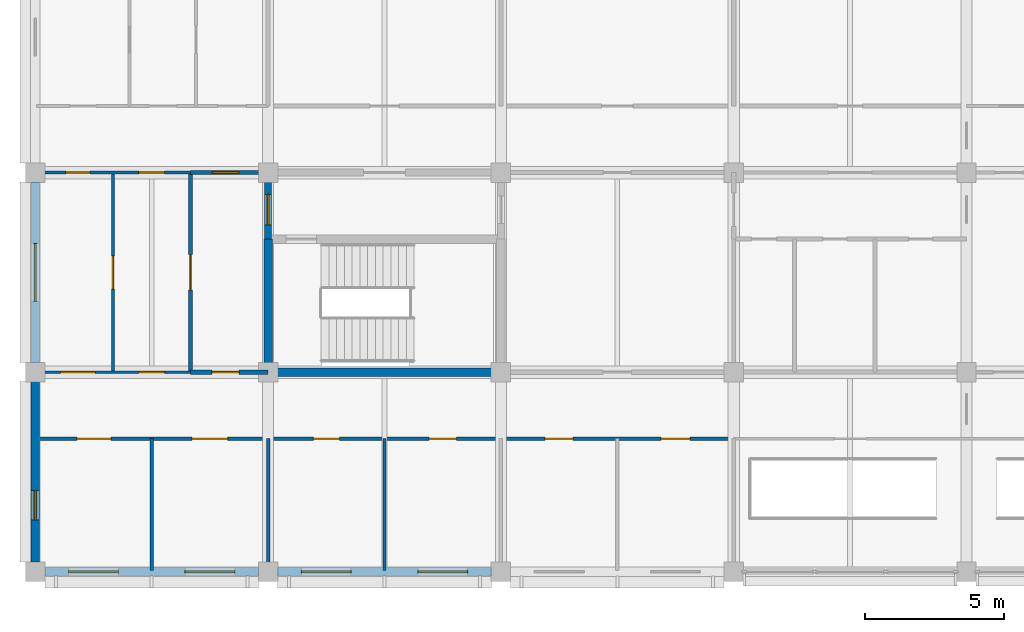
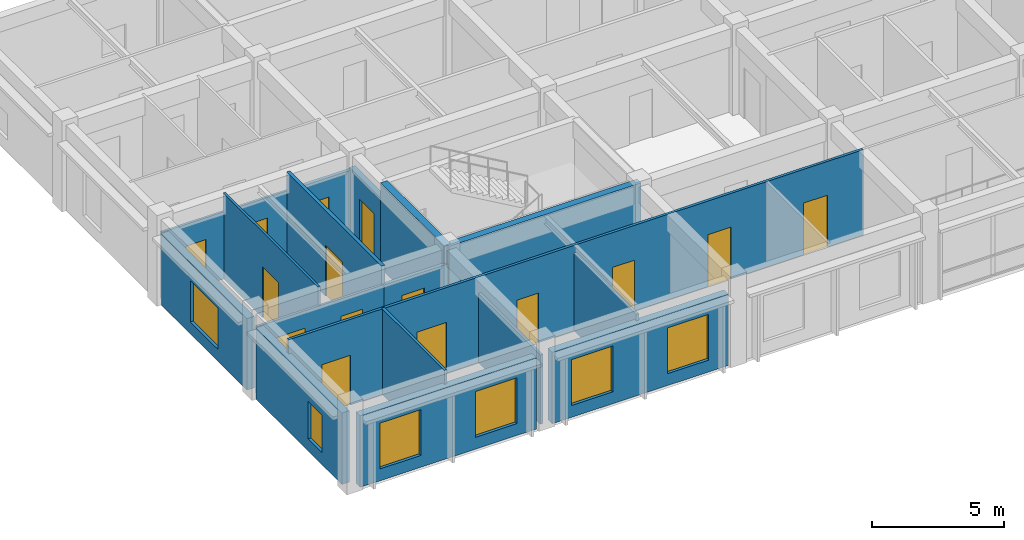
# One storey, part 8 of 17: 17 walls, 15 doors, 6 windows, 21 openings.
"""IFC4 building model written with IfcOpenShell, lengths in metres."""

from ifc_helpers import new_model, si_unit, direction, frame, frame_2d, origin, place, context, subcontext, project, spatial, rectangle, extrude, material, layer, layer_set, type_object, element, fill, save


model = new_model("IFC4")

# Units and contexts
model_context = context("Model", 3, precision=1e-05, world=origin(), true_north=direction((0.0, 1.0)))
body_context = subcontext(model_context, "Body", "Model", "MODEL_VIEW")
ifc_project = project(units=[si_unit("LENGTHUNIT", "METRE"), si_unit("AREAUNIT", "SQUARE_METRE"), si_unit("VOLUMEUNIT", "CUBIC_METRE"), si_unit("PLANEANGLEUNIT", "RADIAN"), si_unit("MASSUNIT", "GRAM", prefix="KILO")], contexts=[model_context])

# Site, building, storey
site_placement = place(None, origin())
site = spatial("IfcSite", under=ifc_project, at=site_placement, CompositionType="ELEMENT")
building_placement = place(site_placement, origin())
building = spatial("IfcBuilding", under=site, at=building_placement, Name="Chengyuan Square Courthouse", CompositionType="ELEMENT")
storey_placement = place(building_placement, frame((0.0, 0.0, 51.89990234375)))
storey = spatial("IfcBuildingStorey", under=building, at=storey_placement, Name="L12", CompositionType="ELEMENT", Elevation=51.89990234375)

# Wall, openings, windows
ifc_material_1 = material(Name="Concrete C40", Category="concrete")
ifc_layer_1 = layer(ifc_material_1, 0.320068359375)
ifc_layer_set_1 = layer_set([ifc_layer_1], Name="Concrete C40")
wall_type_1 = type_object("IfcWallType", Name="WL-EW3", PredefinedType="STANDARD", material=ifc_layer_set_1)
wall_1_placement = place(storey_placement, frame((50.7451171875, 79.199951171875, 0.0), z_axis=(0.0, 0.0, 1.0), x_axis=(1.0, 0.0, 0.0)))
wall_1 = element("IfcWall", 1, at=wall_1_placement, inside=storey, type_object=wall_type_1, Name="Exterior Wall WL-L12-E466", PredefinedType="STANDARD", context=body_context, shape_type="SweptSolid", body=[
    extrude(rectangle(XDim=7.7099609375, YDim=0.320068359375, at=frame_2d((3.85498046875, 0.0))), origin(), (0.0, 0.0, 1.0), 3.31005859375),
])
opening_1_placement = place(wall_1_placement, frame((0.85498046875, 0.0, 0.550048828125)))
opening_1 = element("IfcOpeningElement", 2, at=opening_1_placement, cuts=wall_1, Name="Opening WN-198", PredefinedType="OPENING", context=body_context, shape_type="SweptSolid", body=[
    extrude(rectangle(XDim=1.800048828125, YDim=2.1201171875, at=frame_2d((0.89990234375, 1.06005859375))), frame((0.0, 0.172119140625, 0.0), z_axis=(0.0, -1.0, 0.0), x_axis=(1.0, 0.0, 0.0)), (0.0, 0.0, 1.0), 0.343994140625),
])
opening_2_placement = place(wall_1_placement, frame((5.054931640625, 0.0, 0.550048828125)))
opening_2 = element("IfcOpeningElement", 3, at=opening_2_placement, cuts=wall_1, Name="Opening WN-199", PredefinedType="OPENING", context=body_context, shape_type="SweptSolid", body=[
    extrude(rectangle(XDim=1.800048828125, YDim=2.1201171875, at=frame_2d((0.89990234375, 1.06005859375))), frame((0.0, 0.172119140625, 0.0), z_axis=(0.0, -1.0, 0.0), x_axis=(1.0, 0.0, 0.0)), (0.0, 0.0, 1.0), 0.343994140625),
])
ifc_material_2 = material(Name="Thermally Broken Aluminium Triple Low-E Window", Category="aluminium")
window_type_1 = type_object("IfcWindowType", Name="WT-36", PartitioningType="SINGLE_PANEL", PredefinedType="WINDOW", material=ifc_material_2)
window_1_placement = place(opening_1_placement, origin())
window_1 = element("IfcWindow", 4, at=window_1_placement, inside=storey, type_object=window_type_1, Name="Facade Window WN-198", OverallHeight=2.1201171875, OverallWidth=1.800048828125, PartitioningType="SINGLE_PANEL", PredefinedType="WINDOW", context=body_context, shape_type="SweptSolid", body=[
    extrude(rectangle(XDim=1.800048828125, YDim=2.1201171875, at=frame_2d((0.89990234375, 1.06005859375))), frame((0.0, 0.030029296875, 0.0), z_axis=(0.0, -1.0, 0.0), x_axis=(1.0, 0.0, 0.0)), (0.0, 0.0, 1.0), 0.06005859375),
])
fill(opening_1, window_1)
window_2_placement = place(opening_2_placement, origin())
window_2 = element("IfcWindow", 5, at=window_2_placement, inside=storey, type_object=window_type_1, Name="Facade Window WN-199", OverallHeight=2.1201171875, OverallWidth=1.800048828125, PartitioningType="SINGLE_PANEL", PredefinedType="WINDOW", context=body_context, shape_type="SweptSolid", body=[
    extrude(rectangle(XDim=1.800048828125, YDim=2.1201171875, at=frame_2d((0.89990234375, 1.06005859375))), frame((0.0, 0.030029296875, 0.0), z_axis=(0.0, -1.0, 0.0), x_axis=(1.0, 0.0, 0.0)), (0.0, 0.0, 1.0), 0.06005859375),
])
fill(opening_2, window_2)

# Wall, opening, window
wall_2_placement = place(storey_placement, frame((50.39990234375, 79.544921875, 0.0), z_axis=(0.0, 0.0, 1.0), x_axis=(0.0, 1.0, 0.0)))
wall_2 = element("IfcWall", 6, at=wall_2_placement, inside=storey, type_object=wall_type_1, Name="Exterior Wall WL-L12-E467", PredefinedType="STANDARD", context=body_context, shape_type="SweptSolid", body=[
    extrude(rectangle(XDim=6.510009765625, YDim=0.320068359375, at=frame_2d((3.2548828125, 0.0))), origin(), (0.0, 0.0, 1.0), 3.31005859375),
])
opening_3_placement = place(wall_2_placement, frame((1.530029296875, 0.0, 0.550048828125)))
opening_3 = element("IfcOpeningElement", 7, at=opening_3_placement, cuts=wall_2, Name="Opening WN-200", PredefinedType="OPENING", context=body_context, shape_type="SweptSolid", body=[
    extrude(rectangle(XDim=1.050048828125, YDim=1.739990234375, at=frame_2d((0.52490234375, 0.8701171875))), frame((0.0, 0.172119140625, 0.0), z_axis=(0.0, -1.0, 0.0), x_axis=(1.0, 0.0, 0.0)), (0.0, 0.0, 1.0), 0.343994140625),
])
window_type_2 = type_object("IfcWindowType", Name="WT-10", PartitioningType="SINGLE_PANEL", PredefinedType="WINDOW", material=ifc_material_2)
window_3_placement = place(opening_3_placement, origin())
window_3 = element("IfcWindow", 8, at=window_3_placement, inside=storey, type_object=window_type_2, Name="Facade Window WN-200", OverallHeight=1.739990234375, OverallWidth=1.050048828125, PartitioningType="SINGLE_PANEL", PredefinedType="WINDOW", context=body_context, shape_type="SweptSolid", body=[
    extrude(rectangle(XDim=1.050048828125, YDim=1.739990234375, at=frame_2d((0.52490234375, 0.8701171875))), frame((0.0, 0.030029296875, 0.0), z_axis=(0.0, -1.0, 0.0), x_axis=(1.0, 0.0, 0.0)), (0.0, 0.0, 1.0), 0.06005859375),
])
fill(opening_3, window_3)

wall_3_placement = place(storey_placement, frame((50.39990234375, 86.7451171875, 0.0), z_axis=(0.0, 0.0, 1.0), x_axis=(0.0, 1.0, 0.0)))
wall_3 = element("IfcWall", 9, at=wall_3_placement, inside=storey, type_object=wall_type_1, Name="Exterior Wall WL-L12-E468", PredefinedType="STANDARD", context=body_context, shape_type="SweptSolid", body=[
    extrude(rectangle(XDim=6.509765625, YDim=0.320068359375, at=frame_2d((3.2548828125, 0.0))), origin(), (0.0, 0.0, 1.0), 3.31005859375),
])
opening_4_placement = place(wall_3_placement, frame((2.205078125, 0.0, 0.550048828125)))
opening_4 = element("IfcOpeningElement", 10, at=opening_4_placement, cuts=wall_3, Name="Opening WN-201", PredefinedType="OPENING", context=body_context, shape_type="SweptSolid", body=[
    extrude(rectangle(XDim=2.10009765625, YDim=1.919921875, at=frame_2d((1.050048828125, 0.9599609375))), frame((0.0, 0.172119140625, 0.0), z_axis=(0.0, -1.0, 0.0), x_axis=(1.0, 0.0, 0.0)), (0.0, 0.0, 1.0), 0.343994140625),
])
window_type_3 = type_object("IfcWindowType", Name="WT-41", PartitioningType="SINGLE_PANEL", PredefinedType="WINDOW", material=ifc_material_2)
window_4_placement = place(opening_4_placement, origin())
window_4 = element("IfcWindow", 11, at=window_4_placement, inside=storey, type_object=window_type_3, Name="Facade Window WN-201", OverallHeight=1.919921875, OverallWidth=2.10009765625, PartitioningType="SINGLE_PANEL", PredefinedType="WINDOW", context=body_context, shape_type="SweptSolid", body=[
    extrude(rectangle(XDim=2.10009765625, YDim=1.919921875, at=frame_2d((1.050048828125, 0.9599609375))), frame((0.0, 0.030029296875, 0.0), z_axis=(0.0, -1.0, 0.0), x_axis=(1.0, 0.0, 0.0)), (0.0, 0.0, 1.0), 0.06005859375),
])
fill(opening_4, window_4)

# Wall, openings, windows
wall_4_placement = place(storey_placement, frame((59.14501953125, 79.199951171875, 0.0), z_axis=(0.0, 0.0, 1.0), x_axis=(1.0, 0.0, 0.0)))
wall_4 = element("IfcWall", 12, at=wall_4_placement, inside=storey, type_object=wall_type_1, Name="Exterior Wall WL-L12-E472", PredefinedType="STANDARD", context=body_context, shape_type="SweptSolid", body=[
    extrude(rectangle(XDim=7.7099609375, YDim=0.320068359375, at=frame_2d((3.85498046875, 0.0))), origin(), (0.0, 0.0, 1.0), 3.31005859375),
])
opening_5_placement = place(wall_4_placement, frame((0.85498046875, 0.0, 0.550048828125)))
opening_5 = element("IfcOpeningElement", 13, at=opening_5_placement, cuts=wall_4, Name="Opening WN-205", PredefinedType="OPENING", context=body_context, shape_type="SweptSolid", body=[
    extrude(rectangle(XDim=1.800048828125, YDim=2.1201171875, at=frame_2d((0.89990234375, 1.06005859375))), frame((0.0, 0.172119140625, 0.0), z_axis=(0.0, -1.0, 0.0), x_axis=(1.0, 0.0, 0.0)), (0.0, 0.0, 1.0), 0.343994140625),
])
opening_6_placement = place(wall_4_placement, frame((5.054931640625, 0.0, 0.550048828125)))
opening_6 = element("IfcOpeningElement", 14, at=opening_6_placement, cuts=wall_4, Name="Opening WN-206", PredefinedType="OPENING", context=body_context, shape_type="SweptSolid", body=[
    extrude(rectangle(XDim=1.800048828125, YDim=2.1201171875, at=frame_2d((0.89990234375, 1.06005859375))), frame((0.0, 0.172119140625, 0.0), z_axis=(0.0, -1.0, 0.0), x_axis=(1.0, 0.0, 0.0)), (0.0, 0.0, 1.0), 0.343994140625),
])
window_5_placement = place(opening_5_placement, origin())
window_5 = element("IfcWindow", 15, at=window_5_placement, inside=storey, type_object=window_type_1, Name="Facade Window WN-205", OverallHeight=2.1201171875, OverallWidth=1.800048828125, PartitioningType="SINGLE_PANEL", PredefinedType="WINDOW", context=body_context, shape_type="SweptSolid", body=[
    extrude(rectangle(XDim=1.800048828125, YDim=2.1201171875, at=frame_2d((0.89990234375, 1.06005859375))), frame((0.0, 0.030029296875, 0.0), z_axis=(0.0, -1.0, 0.0), x_axis=(1.0, 0.0, 0.0)), (0.0, 0.0, 1.0), 0.06005859375),
])
fill(opening_5, window_5)
window_6_placement = place(opening_6_placement, origin())
window_6 = element("IfcWindow", 16, at=window_6_placement, inside=storey, type_object=window_type_1, Name="Facade Window WN-206", OverallHeight=2.1201171875, OverallWidth=1.800048828125, PartitioningType="SINGLE_PANEL", PredefinedType="WINDOW", context=body_context, shape_type="SweptSolid", body=[
    extrude(rectangle(XDim=1.800048828125, YDim=2.1201171875, at=frame_2d((0.89990234375, 1.06005859375))), frame((0.0, 0.030029296875, 0.0), z_axis=(0.0, -1.0, 0.0), x_axis=(1.0, 0.0, 0.0)), (0.0, 0.0, 1.0), 0.06005859375),
])
fill(opening_6, window_6)

# Wall, opening, door
ifc_layer_2 = layer(ifc_material_1, 0.25)
ifc_layer_set_2 = layer_set([ifc_layer_2], Name="Concrete C40")
wall_type_2 = type_object("IfcWallType", Name="WL-FW1", PredefinedType="STANDARD", material=ifc_layer_set_2)
wall_5_placement = place(storey_placement, frame((58.800048828125, 91.199951171875, 0.0), z_axis=(0.0, 0.0, 1.0), x_axis=(0.0, 1.0, 0.0)))
wall_5 = element("IfcWall", 17, at=wall_5_placement, inside=storey, type_object=wall_type_2, Name="Interior Wall WL-L12-I3701", PredefinedType="STANDARD", context=body_context, shape_type="SweptSolid", body=[
    extrude(rectangle(XDim=2.400146484375, YDim=0.25, at=frame_2d((1.2001953125, 0.0))), origin(), (0.0, 0.0, 1.0), 3.210205078125),
])
opening_7_placement = place(wall_5_placement, frame((0.514892578125, 0.0, 0.0)))
opening_7 = element("IfcOpeningElement", 18, at=opening_7_placement, cuts=wall_5, Name="Opening DR-3027", PredefinedType="OPENING", context=body_context, shape_type="SweptSolid", body=[
    extrude(rectangle(XDim=1.10009765625, YDim=2.199951171875, at=frame_2d((0.550048828125, 1.10009765625))), frame((0.0, 0.136962890625, 0.0), z_axis=(0.0, -1.0, 0.0), x_axis=(1.0, 0.0, 0.0)), (0.0, 0.0, 1.0), 0.27392578125),
])
ifc_material_3 = material(Name="Steel Q235B Fire Door", Category="steel")
door_type_1 = type_object("IfcDoorType", Name="DT-10", OperationType="NOTDEFINED", PredefinedType="DOOR", material=ifc_material_3)
door_1_placement = place(opening_7_placement, origin())
door_1 = element("IfcDoor", 19, at=door_1_placement, inside=storey, type_object=door_type_1, Name="Interior Door DR-3027", OperationType="SINGLE_SWING_LEFT", OverallHeight=2.199951171875, OverallWidth=1.10009765625, PredefinedType="DOOR", context=body_context, shape_type="SweptSolid", body=[
    extrude(rectangle(XDim=1.10009765625, YDim=2.199951171875, at=frame_2d((0.550048828125, 1.10009765625))), frame((0.0, 0.02490234375, 0.0), z_axis=(0.0, -1.0, 0.0), x_axis=(1.0, 0.0, 0.0)), (0.0, 0.0, 1.0), 0.050048828125),
])
fill(opening_7, door_1)

ifc_material_4 = material(Name="Deliberation Room Sound-Insulated Partition")
ifc_layer_3 = layer(ifc_material_4, 0.14990234375)
ifc_layer_set_3 = layer_set([ifc_layer_3], Name="Deliberation Room Sound-Insulated Partition")
wall_type_3 = type_object("IfcWallType", Name="WL-PT3", PredefinedType="STANDARD", material=ifc_layer_set_3)
wall_6_placement = place(storey_placement, frame((56.0, 86.39990234375, 0.0), z_axis=(0.0, 0.0, 1.0), x_axis=(1.0, 0.0, 0.0)))
wall_6 = element("IfcWall", 20, at=wall_6_placement, inside=storey, type_object=wall_type_3, Name="Interior Wall WL-L12-I3641", PredefinedType="STANDARD", context=body_context, shape_type="SweptSolid", body=[
    extrude(rectangle(XDim=2.800048828125, YDim=0.14990234375, at=frame_2d((1.39990234375, 0.0))), origin(), (0.0, 0.0, 1.0), 3.110107421875),
])
opening_8_placement = place(wall_6_placement, frame((0.77490234375, 0.0, 0.0)))
opening_8 = element("IfcOpeningElement", 21, at=opening_8_placement, cuts=wall_6, Name="Opening DR-3095", PredefinedType="OPENING", context=body_context, shape_type="SweptSolid", body=[
    extrude(rectangle(XDim=0.97998046875, YDim=2.35009765625, at=frame_2d((0.489990234375, 1.175048828125))), frame((0.0, 0.0869140625, 0.0), z_axis=(0.0, -1.0, 0.0), x_axis=(1.0, 0.0, 0.0)), (0.0, 0.0, 1.0), 0.173828125),
])
ifc_material_5 = material(Name="Acoustic Solid-Core Timber Door", Category="wood")
door_type_2 = type_object("IfcDoorType", Name="DT-40", OperationType="NOTDEFINED", PredefinedType="DOOR", material=ifc_material_5)
door_2_placement = place(opening_8_placement, origin())
door_2 = element("IfcDoor", 22, at=door_2_placement, inside=storey, type_object=door_type_2, Name="Interior Door DR-3095", OperationType="SINGLE_SWING_RIGHT", OverallHeight=2.35009765625, OverallWidth=0.97998046875, PredefinedType="DOOR", context=body_context, shape_type="SweptSolid", body=[
    extrude(rectangle(XDim=0.97998046875, YDim=2.35009765625, at=frame_2d((0.489990234375, 1.175048828125))), frame((0.0, 0.02490234375, 0.0), z_axis=(0.0, -1.0, 0.0), x_axis=(1.0, 0.0, 0.0)), (0.0, 0.0, 1.0), 0.050048828125),
])
fill(opening_8, door_2)

wall_7_placement = place(storey_placement, frame((56.0, 93.60009765625, 0.0), z_axis=(0.0, 0.0, 1.0), x_axis=(1.0, 0.0, 0.0)))
wall_7 = element("IfcWall", 23, at=wall_7_placement, inside=storey, type_object=wall_type_3, Name="Interior Wall WL-L12-I3654", PredefinedType="STANDARD", context=body_context, shape_type="SweptSolid", body=[
    extrude(rectangle(XDim=2.800048828125, YDim=0.14990234375, at=frame_2d((1.39990234375, 0.0))), origin(), (0.0, 0.0, 1.0), 3.110107421875),
])
opening_9_placement = place(wall_7_placement, frame((0.784912109375, 0.0, 0.0)))
opening_9 = element("IfcOpeningElement", 24, at=opening_9_placement, cuts=wall_7, Name="Opening DR-3068", PredefinedType="OPENING", context=body_context, shape_type="SweptSolid", body=[
    extrude(rectangle(XDim=0.9599609375, YDim=2.199951171875, at=frame_2d((0.47998046875, 1.10009765625))), frame((0.0, 0.0869140625, 0.0), z_axis=(0.0, -1.0, 0.0), x_axis=(1.0, 0.0, 0.0)), (0.0, 0.0, 1.0), 0.173828125),
])
door_type_3 = type_object("IfcDoorType", Name="DT-30", OperationType="NOTDEFINED", PredefinedType="DOOR", material=ifc_material_5)
door_3_placement = place(opening_9_placement, origin())
door_3 = element("IfcDoor", 25, at=door_3_placement, inside=storey, type_object=door_type_3, Name="Interior Door DR-3068", OperationType="SINGLE_SWING_LEFT", OverallHeight=2.199951171875, OverallWidth=0.9599609375, PredefinedType="DOOR", context=body_context, shape_type="SweptSolid", body=[
    extrude(rectangle(XDim=0.9599609375, YDim=2.199951171875, at=frame_2d((0.47998046875, 1.10009765625))), frame((0.0, 0.02490234375, 0.0), z_axis=(0.0, -1.0, 0.0), x_axis=(1.0, 0.0, 0.0)), (0.0, 0.0, 1.0), 0.050048828125),
])
fill(opening_9, door_3)

wall_8_placement = place(storey_placement, frame((56.0, 86.39990234375, 0.0), z_axis=(0.0, 0.0, 1.0), x_axis=(0.0, 1.0, 0.0)))
wall_8 = element("IfcWall", 26, at=wall_8_placement, inside=storey, type_object=wall_type_3, Name="Interior Wall WL-L12-I3697", PredefinedType="STANDARD", context=body_context, shape_type="SweptSolid", body=[
    extrude(rectangle(XDim=7.2001953125, YDim=0.14990234375, at=frame_2d((3.60009765625, 0.0))), origin(), (0.0, 0.0, 1.0), 3.960205078125),
])
opening_10_placement = place(wall_8_placement, frame((2.9599609375, 0.0, 0.0)))
opening_10 = element("IfcOpeningElement", 27, at=opening_10_placement, cuts=wall_8, Name="Opening DR-3093", PredefinedType="OPENING", context=body_context, shape_type="SweptSolid", body=[
    extrude(rectangle(XDim=1.280029296875, YDim=2.35009765625, at=frame_2d((0.64013671875, 1.175048828125))), frame((0.0, 0.0869140625, 0.0), z_axis=(0.0, -1.0, 0.0), x_axis=(1.0, 0.0, 0.0)), (0.0, 0.0, 1.0), 0.173828125),
])
door_type_4 = type_object("IfcDoorType", Name="DT-38", OperationType="NOTDEFINED", PredefinedType="DOOR", material=ifc_material_5)
door_4_placement = place(opening_10_placement, origin())
door_4 = element("IfcDoor", 28, at=door_4_placement, inside=storey, type_object=door_type_4, Name="Interior Door DR-3093", OperationType="SINGLE_SWING_RIGHT", OverallHeight=2.35009765625, OverallWidth=1.280029296875, PredefinedType="DOOR", context=body_context, shape_type="SweptSolid", body=[
    extrude(rectangle(XDim=1.280029296875, YDim=2.35009765625, at=frame_2d((0.64013671875, 1.175048828125))), frame((0.0, 0.02490234375, 0.0), z_axis=(0.0, -1.0, 0.0), x_axis=(1.0, 0.0, 0.0)), (0.0, 0.0, 1.0), 0.050048828125),
])
fill(opening_10, door_4)

# Wall, openings, doors
ifc_material_6 = material(Name="Judges Chambers Gypsum Stud Partition")
ifc_layer_4 = layer(ifc_material_6, 0.1201171875)
ifc_layer_set_4 = layer_set([ifc_layer_4], Name="Judges Chambers Gypsum Stud Partition")
wall_type_4 = type_object("IfcWallType", Name="WL-PT5", PredefinedType="STANDARD", material=ifc_layer_set_4)
wall_9_placement = place(storey_placement, frame((50.43994140625, 84.0, 0.0), z_axis=(0.0, 0.0, 1.0), x_axis=(1.0, 0.0, 0.0)))
wall_9 = element("IfcWall", 29, at=wall_9_placement, inside=storey, type_object=wall_type_4, Name="Interior Wall WL-L12-I3637", PredefinedType="STANDARD", context=body_context, shape_type="SweptSolid", body=[
    extrude(rectangle(XDim=25.16015625, YDim=0.1201171875, at=frame_2d((12.580078125, 0.0))), origin(), (0.0, 0.0, 1.0), 3.960205078125),
])
opening_11_placement = place(wall_9_placement, frame((1.4599609375, 0.0, 0.0)))
opening_11 = element("IfcOpeningElement", 30, at=opening_11_placement, cuts=wall_9, Name="Opening DR-3109", PredefinedType="OPENING", context=body_context, shape_type="SweptSolid", body=[
    extrude(rectangle(XDim=1.239990234375, YDim=2.300048828125, at=frame_2d((0.6201171875, 1.14990234375))), frame((0.0, 0.072021484375, 0.0), z_axis=(0.0, -1.0, 0.0), x_axis=(1.0, 0.0, 0.0)), (0.0, 0.0, 1.0), 0.14404296875),
])
opening_12_placement = place(wall_9_placement, frame((5.6201171875, 0.0, 0.0)))
opening_12 = element("IfcOpeningElement", 31, at=opening_12_placement, cuts=wall_9, Name="Opening DR-3110", PredefinedType="OPENING", context=body_context, shape_type="SweptSolid", body=[
    extrude(rectangle(XDim=1.280029296875, YDim=2.35009765625, at=frame_2d((0.64013671875, 1.175048828125))), frame((0.0, 0.072021484375, 0.0), z_axis=(0.0, -1.0, 0.0), x_axis=(1.0, 0.0, 0.0)), (0.0, 0.0, 1.0), 0.14404296875),
])
opening_13_placement = place(wall_9_placement, frame((9.989990234375, 0.0, 0.0)))
opening_13 = element("IfcOpeningElement", 32, at=opening_13_placement, cuts=wall_9, Name="Opening DR-3111", PredefinedType="OPENING", context=body_context, shape_type="SweptSolid", body=[
    extrude(rectangle(XDim=0.93994140625, YDim=2.300048828125, at=frame_2d((0.469970703125, 1.14990234375))), frame((0.0, 0.072021484375, 0.0), z_axis=(0.0, -1.0, 0.0), x_axis=(1.0, 0.0, 0.0)), (0.0, 0.0, 1.0), 0.14404296875),
])
opening_14_placement = place(wall_9_placement, frame((14.169921875, 0.0, 0.0)))
opening_14 = element("IfcOpeningElement", 33, at=opening_14_placement, cuts=wall_9, Name="Opening DR-3112", PredefinedType="OPENING", context=body_context, shape_type="SweptSolid", body=[
    extrude(rectangle(XDim=0.97998046875, YDim=2.35009765625, at=frame_2d((0.489990234375, 1.175048828125))), frame((0.0, 0.072021484375, 0.0), z_axis=(0.0, -1.0, 0.0), x_axis=(1.0, 0.0, 0.0)), (0.0, 0.0, 1.0), 0.14404296875),
])
opening_15_placement = place(wall_9_placement, frame((18.35009765625, 0.0, 0.0)))
opening_15 = element("IfcOpeningElement", 34, at=opening_15_placement, cuts=wall_9, Name="Opening DR-3113", PredefinedType="OPENING", context=body_context, shape_type="SweptSolid", body=[
    extrude(rectangle(XDim=1.02001953125, YDim=2.39990234375, at=frame_2d((0.510009765625, 1.199951171875))), frame((0.0, 0.072021484375, 0.0), z_axis=(0.0, -1.0, 0.0), x_axis=(1.0, 0.0, 0.0)), (0.0, 0.0, 1.0), 0.14404296875),
])
opening_16_placement = place(wall_9_placement, frame((22.530029296875, 0.0, 0.0)))
opening_16 = element("IfcOpeningElement", 35, at=opening_16_placement, cuts=wall_9, Name="Opening DR-3114", PredefinedType="OPENING", context=body_context, shape_type="SweptSolid", body=[
    extrude(rectangle(XDim=1.06005859375, YDim=2.39990234375, at=frame_2d((0.530029296875, 1.199951171875))), frame((0.0, 0.072021484375, 0.0), z_axis=(0.0, -1.0, 0.0), x_axis=(1.0, 0.0, 0.0)), (0.0, 0.0, 1.0), 0.14404296875),
])
door_type_5 = type_object("IfcDoorType", Name="DT-37", OperationType="NOTDEFINED", PredefinedType="DOOR", material=ifc_material_5)
door_5_placement = place(opening_11_placement, origin())
door_5 = element("IfcDoor", 36, at=door_5_placement, inside=storey, type_object=door_type_5, Name="Interior Door DR-3109", OperationType="SINGLE_SWING_RIGHT", OverallHeight=2.300048828125, OverallWidth=1.239990234375, PredefinedType="DOOR", context=body_context, shape_type="SweptSolid", body=[
    extrude(rectangle(XDim=1.239990234375, YDim=2.300048828125, at=frame_2d((0.6201171875, 1.14990234375))), frame((0.0, 0.02490234375, 0.0), z_axis=(0.0, -1.0, 0.0), x_axis=(1.0, 0.0, 0.0)), (0.0, 0.0, 1.0), 0.050048828125),
])
fill(opening_11, door_5)
door_6_placement = place(opening_12_placement, origin())
door_6 = element("IfcDoor", 37, at=door_6_placement, inside=storey, type_object=door_type_4, Name="Interior Door DR-3110", OperationType="SINGLE_SWING_LEFT", OverallHeight=2.35009765625, OverallWidth=1.280029296875, PredefinedType="DOOR", context=body_context, shape_type="SweptSolid", body=[
    extrude(rectangle(XDim=1.280029296875, YDim=2.35009765625, at=frame_2d((0.64013671875, 1.175048828125))), frame((0.0, 0.02490234375, 0.0), z_axis=(0.0, -1.0, 0.0), x_axis=(1.0, 0.0, 0.0)), (0.0, 0.0, 1.0), 0.050048828125),
])
fill(opening_12, door_6)
door_type_6 = type_object("IfcDoorType", Name="DT-39", OperationType="NOTDEFINED", PredefinedType="DOOR", material=ifc_material_5)
door_7_placement = place(opening_13_placement, origin())
door_7 = element("IfcDoor", 38, at=door_7_placement, inside=storey, type_object=door_type_6, Name="Interior Door DR-3111", OperationType="SINGLE_SWING_RIGHT", OverallHeight=2.300048828125, OverallWidth=0.93994140625, PredefinedType="DOOR", context=body_context, shape_type="SweptSolid", body=[
    extrude(rectangle(XDim=0.93994140625, YDim=2.300048828125, at=frame_2d((0.469970703125, 1.14990234375))), frame((0.0, 0.02490234375, 0.0), z_axis=(0.0, -1.0, 0.0), x_axis=(1.0, 0.0, 0.0)), (0.0, 0.0, 1.0), 0.050048828125),
])
fill(opening_13, door_7)
door_8_placement = place(opening_14_placement, origin())
door_8 = element("IfcDoor", 39, at=door_8_placement, inside=storey, type_object=door_type_2, Name="Interior Door DR-3112", OperationType="SINGLE_SWING_LEFT", OverallHeight=2.35009765625, OverallWidth=0.97998046875, PredefinedType="DOOR", context=body_context, shape_type="SweptSolid", body=[
    extrude(rectangle(XDim=0.97998046875, YDim=2.35009765625, at=frame_2d((0.489990234375, 1.175048828125))), frame((0.0, 0.02490234375, 0.0), z_axis=(0.0, -1.0, 0.0), x_axis=(1.0, 0.0, 0.0)), (0.0, 0.0, 1.0), 0.050048828125),
])
fill(opening_14, door_8)
door_type_7 = type_object("IfcDoorType", Name="DT-41", OperationType="NOTDEFINED", PredefinedType="DOOR", material=ifc_material_5)
door_9_placement = place(opening_15_placement, origin())
door_9 = element("IfcDoor", 40, at=door_9_placement, inside=storey, type_object=door_type_7, Name="Interior Door DR-3113", OperationType="SINGLE_SWING_RIGHT", OverallHeight=2.39990234375, OverallWidth=1.02001953125, PredefinedType="DOOR", context=body_context, shape_type="SweptSolid", body=[
    extrude(rectangle(XDim=1.02001953125, YDim=2.39990234375, at=frame_2d((0.510009765625, 1.199951171875))), frame((0.0, 0.02490234375, 0.0), z_axis=(0.0, -1.0, 0.0), x_axis=(1.0, 0.0, 0.0)), (0.0, 0.0, 1.0), 0.050048828125),
])
fill(opening_15, door_9)
door_type_8 = type_object("IfcDoorType", Name="DT-42", OperationType="NOTDEFINED", PredefinedType="DOOR", material=ifc_material_5)
door_10_placement = place(opening_16_placement, origin())
door_10 = element("IfcDoor", 41, at=door_10_placement, inside=storey, type_object=door_type_8, Name="Interior Door DR-3114", OperationType="SINGLE_SWING_LEFT", OverallHeight=2.39990234375, OverallWidth=1.06005859375, PredefinedType="DOOR", context=body_context, shape_type="SweptSolid", body=[
    extrude(rectangle(XDim=1.06005859375, YDim=2.39990234375, at=frame_2d((0.530029296875, 1.199951171875))), frame((0.0, 0.02490234375, 0.0), z_axis=(0.0, -1.0, 0.0), x_axis=(1.0, 0.0, 0.0)), (0.0, 0.0, 1.0), 0.050048828125),
])
fill(opening_16, door_10)

# Walls
wall_10_placement = place(storey_placement, frame((54.60009765625, 79.239990234375, 0.0), z_axis=(0.0, 0.0, 1.0), x_axis=(0.0, 1.0, 0.0)))
element("IfcWall", 42, at=wall_10_placement, inside=storey, type_object=wall_type_4, Name="Interior Wall WL-L12-I3696", PredefinedType="STANDARD", context=body_context, shape_type="SweptSolid", body=[
    extrude(rectangle(XDim=4.760009765625, YDim=0.1201171875, at=frame_2d((2.3798828125, 0.0))), origin(), (0.0, 0.0, 1.0), 3.960205078125),
])
wall_11_placement = place(storey_placement, frame((58.800048828125, 79.239990234375, 0.0), z_axis=(0.0, 0.0, 1.0), x_axis=(0.0, 1.0, 0.0)))
element("IfcWall", 43, at=wall_11_placement, inside=storey, type_object=wall_type_4, Name="Interior Wall WL-L12-I3699", PredefinedType="STANDARD", context=body_context, shape_type="SweptSolid", body=[
    extrude(rectangle(XDim=4.760009765625, YDim=0.1201171875, at=frame_2d((2.3798828125, 0.0))), origin(), (0.0, 0.0, 1.0), 3.210205078125),
])
wall_12_placement = place(storey_placement, frame((63.0, 79.239990234375, 0.0), z_axis=(0.0, 0.0, 1.0), x_axis=(0.0, 1.0, 0.0)))
element("IfcWall", 44, at=wall_12_placement, inside=storey, type_object=wall_type_4, Name="Interior Wall WL-L12-I3705", PredefinedType="STANDARD", context=body_context, shape_type="SweptSolid", body=[
    extrude(rectangle(XDim=4.760009765625, YDim=0.1201171875, at=frame_2d((2.3798828125, 0.0))), origin(), (0.0, 0.0, 1.0), 3.610107421875),
])

# Wall, openings, doors
ifc_material_7 = material(Name="Gypsum Plasterboard Acoustic Stud Partition")
ifc_layer_5 = layer(ifc_material_7, 0.10009765625)
ifc_layer_set_5 = layer_set([ifc_layer_5], Name="Gypsum Plasterboard Acoustic Stud Partition")
wall_type_5 = type_object("IfcWallType", Name="WL-PT6", PredefinedType="STANDARD", material=ifc_layer_set_5)
wall_13_placement = place(storey_placement, frame((50.43994140625, 86.39990234375, 0.0), z_axis=(0.0, 0.0, 1.0), x_axis=(1.0, 0.0, 0.0)))
wall_13 = element("IfcWall", 45, at=wall_13_placement, inside=storey, type_object=wall_type_5, Name="Interior Wall WL-L12-I3640", PredefinedType="STANDARD", context=body_context, shape_type="SweptSolid", body=[
    extrude(rectangle(XDim=5.56005859375, YDim=0.10009765625, at=frame_2d((2.780029296875, 0.0))), origin(), (0.0, 0.0, 1.0), 3.110107421875),
])
opening_17_placement = place(wall_13_placement, frame((0.875, 0.0, 0.0)))
opening_17 = element("IfcOpeningElement", 46, at=opening_17_placement, cuts=wall_13, Name="Opening DR-3092", PredefinedType="OPENING", context=body_context, shape_type="SweptSolid", body=[
    extrude(rectangle(XDim=1.239990234375, YDim=2.300048828125, at=frame_2d((0.6201171875, 1.14990234375))), frame((0.0, 0.06201171875, 0.0), z_axis=(0.0, -1.0, 0.0), x_axis=(1.0, 0.0, 0.0)), (0.0, 0.0, 1.0), 0.1240234375),
])
opening_18_placement = place(wall_13_placement, frame((3.68994140625, 0.0, 0.0)))
opening_18 = element("IfcOpeningElement", 47, at=opening_18_placement, cuts=wall_13, Name="Opening DR-3094", PredefinedType="OPENING", context=body_context, shape_type="SweptSolid", body=[
    extrude(rectangle(XDim=0.93994140625, YDim=2.300048828125, at=frame_2d((0.469970703125, 1.14990234375))), frame((0.0, 0.06201171875, 0.0), z_axis=(0.0, -1.0, 0.0), x_axis=(1.0, 0.0, 0.0)), (0.0, 0.0, 1.0), 0.1240234375),
])
door_11_placement = place(opening_17_placement, origin())
door_11 = element("IfcDoor", 48, at=door_11_placement, inside=storey, type_object=door_type_5, Name="Interior Door DR-3092", OperationType="SINGLE_SWING_LEFT", OverallHeight=2.300048828125, OverallWidth=1.239990234375, PredefinedType="DOOR", context=body_context, shape_type="SweptSolid", body=[
    extrude(rectangle(XDim=1.239990234375, YDim=2.300048828125, at=frame_2d((0.6201171875, 1.14990234375))), frame((0.0, 0.02490234375, 0.0), z_axis=(0.0, -1.0, 0.0), x_axis=(1.0, 0.0, 0.0)), (0.0, 0.0, 1.0), 0.050048828125),
])
fill(opening_17, door_11)
door_12_placement = place(opening_18_placement, origin())
door_12 = element("IfcDoor", 49, at=door_12_placement, inside=storey, type_object=door_type_6, Name="Interior Door DR-3094", OperationType="SINGLE_SWING_LEFT", OverallHeight=2.300048828125, OverallWidth=0.93994140625, PredefinedType="DOOR", context=body_context, shape_type="SweptSolid", body=[
    extrude(rectangle(XDim=0.93994140625, YDim=2.300048828125, at=frame_2d((0.469970703125, 1.14990234375))), frame((0.0, 0.02490234375, 0.0), z_axis=(0.0, -1.0, 0.0), x_axis=(1.0, 0.0, 0.0)), (0.0, 0.0, 1.0), 0.050048828125),
])
fill(opening_18, door_12)

wall_14_placement = place(storey_placement, frame((50.43994140625, 93.60009765625, 0.0), z_axis=(0.0, 0.0, 1.0), x_axis=(1.0, 0.0, 0.0)))
wall_14 = element("IfcWall", 50, at=wall_14_placement, inside=storey, type_object=wall_type_5, Name="Interior Wall WL-L12-I3653", PredefinedType="STANDARD", context=body_context, shape_type="SweptSolid", body=[
    extrude(rectangle(XDim=5.56005859375, YDim=0.10009765625, at=frame_2d((2.780029296875, 0.0))), origin(), (0.0, 0.0, 1.0), 3.110107421875),
])
opening_19_placement = place(wall_14_placement, frame((1.06494140625, 0.0, 0.0)))
opening_19 = element("IfcOpeningElement", 51, at=opening_19_placement, cuts=wall_14, Name="Opening DR-3066", PredefinedType="OPENING", context=body_context, shape_type="SweptSolid", body=[
    extrude(rectangle(XDim=0.860107421875, YDim=2.10009765625, at=frame_2d((0.43017578125, 1.050048828125))), frame((0.0, 0.06201171875, 0.0), z_axis=(0.0, -1.0, 0.0), x_axis=(1.0, 0.0, 0.0)), (0.0, 0.0, 1.0), 0.1240234375),
])
opening_20_placement = place(wall_14_placement, frame((3.699951171875, 0.0, 0.0)))
opening_20 = element("IfcOpeningElement", 52, at=opening_20_placement, cuts=wall_14, Name="Opening DR-3067", PredefinedType="OPENING", context=body_context, shape_type="SweptSolid", body=[
    extrude(rectangle(XDim=0.919921875, YDim=2.14990234375, at=frame_2d((0.4599609375, 1.074951171875))), frame((0.0, 0.06201171875, 0.0), z_axis=(0.0, -1.0, 0.0), x_axis=(1.0, 0.0, 0.0)), (0.0, 0.0, 1.0), 0.1240234375),
])
door_type_9 = type_object("IfcDoorType", Name="DT-28", OperationType="NOTDEFINED", PredefinedType="DOOR", material=ifc_material_5)
door_13_placement = place(opening_19_placement, origin())
door_13 = element("IfcDoor", 53, at=door_13_placement, inside=storey, type_object=door_type_9, Name="Interior Door DR-3066", OperationType="SINGLE_SWING_LEFT", OverallHeight=2.10009765625, OverallWidth=0.860107421875, PredefinedType="DOOR", context=body_context, shape_type="SweptSolid", body=[
    extrude(rectangle(XDim=0.860107421875, YDim=2.10009765625, at=frame_2d((0.43017578125, 1.050048828125))), frame((0.0, 0.02490234375, 0.0), z_axis=(0.0, -1.0, 0.0), x_axis=(1.0, 0.0, 0.0)), (0.0, 0.0, 1.0), 0.050048828125),
])
fill(opening_19, door_13)
door_type_10 = type_object("IfcDoorType", Name="DT-29", OperationType="NOTDEFINED", PredefinedType="DOOR", material=ifc_material_5)
door_14_placement = place(opening_20_placement, origin())
door_14 = element("IfcDoor", 54, at=door_14_placement, inside=storey, type_object=door_type_10, Name="Interior Door DR-3067", OperationType="SINGLE_SWING_RIGHT", OverallHeight=2.14990234375, OverallWidth=0.919921875, PredefinedType="DOOR", context=body_context, shape_type="SweptSolid", body=[
    extrude(rectangle(XDim=0.919921875, YDim=2.14990234375, at=frame_2d((0.4599609375, 1.074951171875))), frame((0.0, 0.02490234375, 0.0), z_axis=(0.0, -1.0, 0.0), x_axis=(1.0, 0.0, 0.0)), (0.0, 0.0, 1.0), 0.050048828125),
])
fill(opening_20, door_14)

# Wall, opening, door
wall_15_placement = place(storey_placement, frame((53.199951171875, 86.39990234375, 0.0), z_axis=(0.0, 0.0, 1.0), x_axis=(0.0, 1.0, 0.0)))
wall_15 = element("IfcWall", 55, at=wall_15_placement, inside=storey, type_object=wall_type_5, Name="Interior Wall WL-L12-I3694", PredefinedType="STANDARD", context=body_context, shape_type="SweptSolid", body=[
    extrude(rectangle(XDim=7.2001953125, YDim=0.10009765625, at=frame_2d((3.60009765625, 0.0))), origin(), (0.0, 0.0, 1.0), 3.960205078125),
])
opening_21_placement = place(wall_15_placement, frame((3.0, 0.0, 0.0)))
opening_21 = element("IfcOpeningElement", 56, at=opening_21_placement, cuts=wall_15, Name="Opening DR-3091", PredefinedType="OPENING", context=body_context, shape_type="SweptSolid", body=[
    extrude(rectangle(XDim=1.199951171875, YDim=2.35009765625, at=frame_2d((0.60009765625, 1.175048828125))), frame((0.0, 0.06201171875, 0.0), z_axis=(0.0, -1.0, 0.0), x_axis=(1.0, 0.0, 0.0)), (0.0, 0.0, 1.0), 0.1240234375),
])
door_type_11 = type_object("IfcDoorType", Name="DT-36", OperationType="NOTDEFINED", PredefinedType="DOOR", material=ifc_material_5)
door_15_placement = place(opening_21_placement, origin())
door_15 = element("IfcDoor", 57, at=door_15_placement, inside=storey, type_object=door_type_11, Name="Interior Door DR-3091", OperationType="SINGLE_SWING_RIGHT", OverallHeight=2.35009765625, OverallWidth=1.199951171875, PredefinedType="DOOR", context=body_context, shape_type="SweptSolid", body=[
    extrude(rectangle(XDim=1.199951171875, YDim=2.35009765625, at=frame_2d((0.60009765625, 1.175048828125))), frame((0.0, 0.02490234375, 0.0), z_axis=(0.0, -1.0, 0.0), x_axis=(1.0, 0.0, 0.0)), (0.0, 0.0, 1.0), 0.050048828125),
])
fill(opening_21, door_15)

# Walls
ifc_layer_6 = layer(ifc_material_1, 0.300048828125)
ifc_layer_set_6 = layer_set([ifc_layer_6], Name="Concrete C40")
wall_type_6 = type_object("IfcWallType", Name="WL-SW2", PredefinedType="SHEAR", material=ifc_layer_set_6)
wall_16_placement = place(storey_placement, frame((58.800048828125, 86.39990234375, 0.0), z_axis=(0.0, 0.0, 1.0), x_axis=(1.0, 0.0, 0.0)))
element("IfcWall", 58, at=wall_16_placement, inside=storey, type_object=wall_type_6, Name="Interior Wall WL-L12-I3642", PredefinedType="SHEAR", context=body_context, shape_type="SweptSolid", body=[
    extrude(rectangle(XDim=8.39990234375, YDim=0.300048828125, at=frame_2d((4.199951171875, 0.0))), origin(), (0.0, 0.0, 1.0), 3.960205078125),
])
wall_17_placement = place(storey_placement, frame((58.800048828125, 86.39990234375, 0.0), z_axis=(0.0, 0.0, 1.0), x_axis=(0.0, 1.0, 0.0)))
element("IfcWall", 59, at=wall_17_placement, inside=storey, type_object=wall_type_6, Name="Interior Wall WL-L12-I3700", PredefinedType="SHEAR", context=body_context, shape_type="SweptSolid", body=[
    extrude(rectangle(XDim=4.800048828125, YDim=0.300048828125, at=frame_2d((2.39990234375, 0.0))), origin(), (0.0, 0.0, 1.0), 3.960205078125),
])

save(model, "model.ifc")
